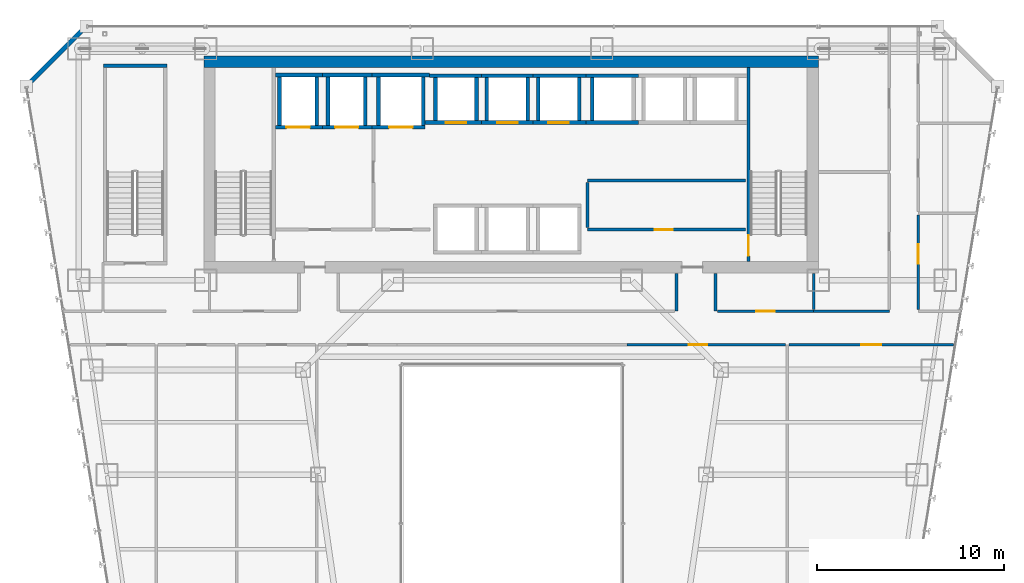
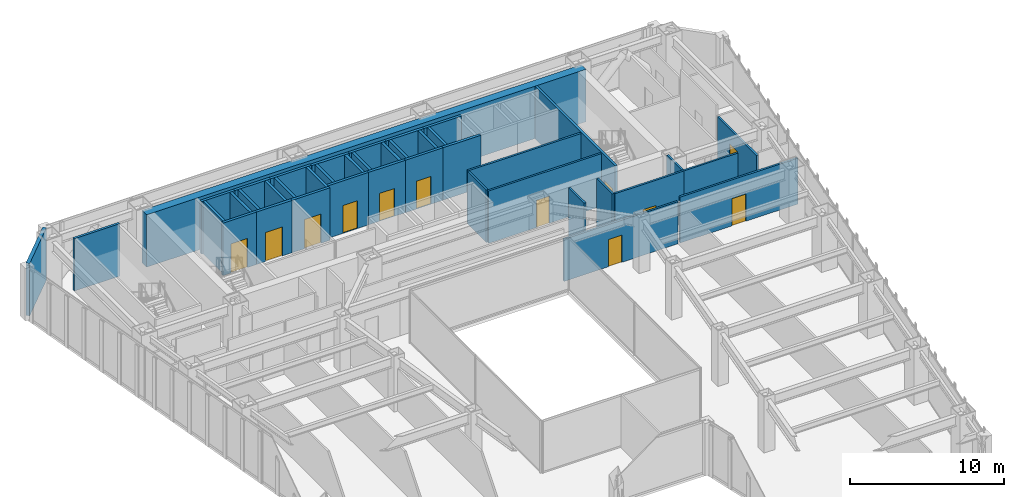
# One storey, part 37 of 47: 42 walls, 12 doors, 12 openings.
"""IFC4 building model written with IfcOpenShell, lengths in metres."""

from ifc_helpers import new_model, si_unit, direction, frame, frame_2d, origin, place, context, subcontext, project, spatial, rectangle, extrude, material, layer, layer_set, type_object, element, fill, save


model = new_model("IFC4")

# Units and contexts
model_context = context("Model", 3, precision=1e-05, world=origin(), true_north=direction((0.0, 1.0)))
body_context = subcontext(model_context, "Body", "Model", "MODEL_VIEW")
ifc_project = project(units=[si_unit("LENGTHUNIT", "METRE"), si_unit("AREAUNIT", "SQUARE_METRE"), si_unit("VOLUMEUNIT", "CUBIC_METRE"), si_unit("PLANEANGLEUNIT", "RADIAN"), si_unit("MASSUNIT", "GRAM", prefix="KILO")], contexts=[model_context])

# Site, building, storey
site_placement = place(None, origin())
site = spatial("IfcSite", under=ifc_project, at=site_placement, CompositionType="ELEMENT")
building_placement = place(site_placement, origin())
building = spatial("IfcBuilding", under=site, at=building_placement, Name="Saevonmaru Cultural Tower", CompositionType="ELEMENT")
storey_placement = place(building_placement, frame((0.0, 0.0, 78.0)))
storey = spatial("IfcBuildingStorey", under=building, at=storey_placement, Name="L16", CompositionType="ELEMENT", Elevation=78.0)

# Wall
ifc_material_1 = material(Name="Concrete C60/75", Category="concrete")
ifc_layer_1 = layer(ifc_material_1, 0.60009765625, Name="Concrete C60/75")
ifc_layer_set_1 = layer_set([ifc_layer_1], Name="Concrete C60/75")
wall_type_1 = type_object("IfcWallType", Name="WL-CORE-600", PredefinedType="SHEAR", material=ifc_layer_set_1)
wall_1_placement = place(storey_placement, frame((13.5, 54.10009765625, 0.0), z_axis=(0.0, 0.0, 1.0), x_axis=(1.0, 0.0, 0.0)))
element("IfcWall", 1, at=wall_1_placement, inside=storey, type_object=wall_type_1, Name="L16 Tower RC core shear wall N", PredefinedType="SHEAR", context=body_context, shape_type="SweptSolid", body=[
    extrude(rectangle(XDim=32.89990234375, YDim=0.60009765625, at=frame_2d((16.449951171875, 0.0))), origin(), (0.0, 0.0, 1.0), 4.14990234375),
])

# Wall, opening, door
ifc_material_2 = material(Name="Gypsum Fireboard Partition", Category="gypsum")
ifc_layer_2 = layer(ifc_material_2, 0.14990234375, Name="Gypsum Fireboard Partition")
ifc_layer_set_2 = layer_set([ifc_layer_2], Name="Gypsum Fireboard Partition")
wall_type_2 = type_object("IfcWallType", Name="WL-CORE-PART-150", PredefinedType="PARTITIONING", material=ifc_layer_set_2)
wall_2_placement = place(storey_placement, frame((34.050048828125, 45.1201171875, 0.0), z_axis=(0.0, 0.0, 1.0), x_axis=(1.0, 0.0, 0.0)))
wall_2 = element("IfcWall", 2, at=wall_2_placement, inside=storey, type_object=wall_type_2, Name="L16 Core Service South Wall", PredefinedType="PARTITIONING", context=body_context, shape_type="SweptSolid", body=[
    extrude(rectangle(XDim=8.449951171875, YDim=0.14990234375, at=frame_2d((4.22509765625, 0.0))), origin(), (0.0, 0.0, 1.0), 4.14990234375),
])
opening_1_placement = place(wall_2_placement, frame((3.60009765625, 0.0, 0.0)))
opening_1 = element("IfcOpeningElement", 3, at=opening_1_placement, cuts=wall_2, Name="Opening FD-4", PredefinedType="OPENING", context=body_context, shape_type="SweptSolid", body=[
    extrude(rectangle(XDim=0.949951171875, YDim=2.14990234375, at=frame_2d((0.47509765625, 1.074951171875))), frame((0.0, 0.0849609375, 0.0), z_axis=(0.0, -1.0, 0.0), x_axis=(1.0, 0.0, 0.0)), (0.0, 0.0, 1.0), 0.169921875),
])
ifc_material_3 = material(Name="Satin Bronze Anodised Aluminium", Category="aluminium")
door_type_1 = type_object("IfcDoorType", Name="DR-FD60-950", OperationType="SINGLE_SWING_LEFT", PredefinedType="DOOR", material=ifc_material_3)
door_1_placement = place(opening_1_placement, origin())
door_1 = element("IfcDoor", 4, at=door_1_placement, inside=storey, type_object=door_type_1, Name="L16 Telecom Riser Plant Door", OperationType="SINGLE_SWING_LEFT", OverallHeight=2.14990234375, OverallWidth=0.949951171875, PredefinedType="DOOR", context=body_context, shape_type="SweptSolid", body=[
    extrude(rectangle(XDim=0.949951171875, YDim=2.14990234375, at=frame_2d((0.47509765625, 1.074951171875))), frame((0.0, 0.02490234375, 0.0), z_axis=(0.0, -1.0, 0.0), x_axis=(1.0, 0.0, 0.0)), (0.0, 0.0, 1.0), 0.050048828125),
])
fill(opening_1, door_1)

# Walls
wall_3_placement = place(storey_placement, frame((34.050048828125, 47.75, 0.0), z_axis=(0.0, 0.0, 1.0), x_axis=(1.0, 0.0, 0.0)))
element("IfcWall", 5, at=wall_3_placement, inside=storey, type_object=wall_type_2, Name="L16 Core Service North Wall", PredefinedType="PARTITIONING", context=body_context, shape_type="SweptSolid", body=[
    extrude(rectangle(XDim=8.449951171875, YDim=0.14990234375, at=frame_2d((4.22509765625, 0.0))), origin(), (0.0, 0.0, 1.0), 4.14990234375),
])
wall_4_placement = place(storey_placement, frame((34.050048828125, 45.219970703125, 0.0), z_axis=(0.0, 0.0, 1.0), x_axis=(0.0, 1.0, 0.0)))
element("IfcWall", 6, at=wall_4_placement, inside=storey, type_object=wall_type_2, Name="L16 Core Service West Wall", PredefinedType="PARTITIONING", context=body_context, shape_type="SweptSolid", body=[
    extrude(rectangle(XDim=2.429931640625, YDim=0.14990234375, at=frame_2d((1.21484375, 0.0))), origin(), (0.0, 0.0, 1.0), 4.14990234375),
])
ifc_material_4 = material(Name="Granite-Clad Precast Concrete C40/50", Category="masonry")
ifc_layer_3 = layer(ifc_material_4, 0.260009765625, Name="Granite-Clad Precast Concrete C40/50")
ifc_layer_set_3 = layer_set([ifc_layer_3], Name="Granite-Clad Precast Concrete C40/50")
wall_type_3 = type_object("IfcWallType", Name="WL-EXT-SPANDREL-260", PredefinedType="STANDARD", material=ifc_layer_set_3)
wall_5_placement = place(storey_placement, frame((7.0869140625, 55.886962890625, 0.0), z_axis=(0.0, 0.0, 1.0), x_axis=(-0.707106781187, -0.707106781187, 0.0)))
element("IfcWall", 7, at=wall_5_placement, inside=storey, type_object=wall_type_3, Name="L16 Chamfer Corner Spandrel Wall E11", PredefinedType="STANDARD", context=body_context, shape_type="SweptSolid", body=[
    extrude(rectangle(XDim=4.205810546875, YDim=0.260009765625, at=frame_2d((2.10302734375, 0.0))), origin(), (0.0, 0.0, 1.0), 4.14990234375),
])

# Wall, opening, door
ifc_layer_4 = layer(ifc_material_2, 0.14990234375, Name="Gypsum Fireboard Partition")
ifc_layer_set_4 = layer_set([ifc_layer_4], Name="Gypsum Fireboard Partition")
wall_type_4 = type_object("IfcWallType", Name="WL-PART-FIRE-150", PredefinedType="PARTITIONING", material=ifc_layer_set_4)
wall_6_placement = place(storey_placement, frame((51.75, 40.83740234375, 0.0), z_axis=(0.0, 0.0, 1.0), x_axis=(0.0, 1.0, 0.0)))
wall_6 = element("IfcWall", 8, at=wall_6_placement, inside=storey, type_object=wall_type_4, Name="L16 Visual Arts Critique Gallery Corridor Wall", PredefinedType="PARTITIONING", context=body_context, shape_type="SweptSolid", body=[
    extrude(rectangle(XDim=5.0751953125, YDim=0.14990234375, at=frame_2d((2.53759765625, 0.0))), origin(), (0.0, 0.0, 1.0), 3.3349609375),
])
opening_2_placement = place(wall_6_placement, frame((2.452880859375, 0.0, 0.0)))
opening_2 = element("IfcOpeningElement", 9, at=opening_2_placement, cuts=wall_6, Name="Opening ID-1", PredefinedType="OPENING", context=body_context, shape_type="SweptSolid", body=[
    extrude(rectangle(XDim=1.050048828125, YDim=2.14990234375, at=frame_2d((0.52490234375, 1.074951171875))), frame((0.0, 0.0849609375, 0.0), z_axis=(0.0, -1.0, 0.0), x_axis=(1.0, 0.0, 0.0)), (0.0, 0.0, 1.0), 0.169921875),
])
door_type_2 = type_object("IfcDoorType", Name="DR-INT-1050", OperationType="SINGLE_SWING_LEFT", PredefinedType="DOOR", material=ifc_material_3)
door_2_placement = place(opening_2_placement, origin())
door_2 = element("IfcDoor", 10, at=door_2_placement, inside=storey, type_object=door_type_2, Name="L16 Visual Arts Critique Gallery Door", OperationType="SINGLE_SWING_RIGHT", OverallHeight=2.14990234375, OverallWidth=1.050048828125, PredefinedType="DOOR", context=body_context, shape_type="SweptSolid", body=[
    extrude(rectangle(XDim=1.050048828125, YDim=2.14990234375, at=frame_2d((0.52490234375, 1.074951171875))), frame((0.0, 0.02490234375, 0.0), z_axis=(0.0, -1.0, 0.0), x_axis=(1.0, 0.0, 0.0)), (0.0, 0.0, 1.0), 0.050048828125),
])
fill(opening_2, door_2)

# Walls
for number, where, z_axis, x_axis, name in (
    (11, (38.800048828125, 40.75, 0.0), (0.0, 0.0, 1.0), (0.0, 1.0, 0.0), "L16 Core Portal Side Wall E1"),
    (12, (40.89990234375, 40.75, 0.0), (0.0, 0.0, 1.0), (0.0, 1.0, 0.0), "L16 Core Portal Side Wall E2"),
):
    element("IfcWall", number, at=place(storey_placement, frame(where, z_axis=z_axis, x_axis=x_axis)), inside=storey, type_object=wall_type_4, Name=name, PredefinedType="PARTITIONING", context=body_context, shape_type="SweptSolid", body=[
        extrude(rectangle(XDim=2.030029296875, YDim=0.14990234375, at=frame_2d((1.01513671875, 0.0))), origin(), (0.0, 0.0, 1.0), 4.14990234375),
    ])

# Wall, opening, door
wall_7_placement = place(storey_placement, frame((40.9951171875, 40.75, 0.0), z_axis=(0.0, 0.0, 1.0), x_axis=(1.0, 0.0, 0.0)))
wall_7 = element("IfcWall", 13, at=wall_7_placement, inside=storey, type_object=wall_type_4, Name="L16 Sound Art Screening Auditorium Corridor Wall", PredefinedType="PARTITIONING", context=body_context, shape_type="SweptSolid", body=[
    extrude(rectangle(XDim=5.15478515625, YDim=0.14990234375, at=frame_2d((2.577392578125, 0.0))), origin(), (0.0, 0.0, 1.0), 4.14990234375),
])
opening_3_placement = place(wall_7_placement, frame((2.077880859375, 0.0, 0.0)))
opening_3 = element("IfcOpeningElement", 14, at=opening_3_placement, cuts=wall_7, Name="Opening ID-1B", PredefinedType="OPENING", context=body_context, shape_type="SweptSolid", body=[
    extrude(rectangle(XDim=1.0, YDim=2.14990234375, at=frame_2d((0.5, 1.074951171875))), frame((0.0, 0.0849609375, 0.0), z_axis=(0.0, -1.0, 0.0), x_axis=(1.0, 0.0, 0.0)), (0.0, 0.0, 1.0), 0.169921875),
])
ifc_material_5 = material(Name="Acoustic Stained Oak Timber", Category="wood")
door_type_3 = type_object("IfcDoorType", Name="DR-INT-1000", OperationType="SINGLE_SWING_RIGHT", PredefinedType="DOOR", material=ifc_material_5)
door_3_placement = place(opening_3_placement, origin())
door_3 = element("IfcDoor", 15, at=door_3_placement, inside=storey, type_object=door_type_3, Name="L16 Sound Art Screening Auditorium Door", OperationType="SINGLE_SWING_LEFT", OverallHeight=2.14990234375, OverallWidth=1.0, PredefinedType="DOOR", context=body_context, shape_type="SweptSolid", body=[
    extrude(rectangle(XDim=1.0, YDim=2.14990234375, at=frame_2d((0.5, 1.074951171875))), frame((0.0, 0.02490234375, 0.0), z_axis=(0.0, -1.0, 0.0), x_axis=(1.0, 0.0, 0.0)), (0.0, 0.0, 1.0), 0.050048828125),
])
fill(opening_3, door_3)

wall_8_placement = place(storey_placement, frame((36.14990234375, 38.949951171875, 0.0), z_axis=(0.0, 0.0, 1.0), x_axis=(1.0, 0.0, 0.0)))
wall_8 = element("IfcWall", 16, at=wall_8_placement, inside=storey, type_object=wall_type_4, Name="L16 Sound Art Screening Auditorium Corridor Wall", PredefinedType="PARTITIONING", context=body_context, shape_type="SweptSolid", body=[
    extrude(rectangle(XDim=8.502685546875, YDim=0.14990234375, at=frame_2d((4.25146484375, 0.0))), origin(), (0.0, 0.0, 1.0), 3.3349609375),
])
opening_4_placement = place(wall_8_placement, frame((3.31103515625, 0.0, 0.0)))
opening_4 = element("IfcOpeningElement", 17, at=opening_4_placement, cuts=wall_8, Name="Opening ID-1B", PredefinedType="OPENING", context=body_context, shape_type="SweptSolid", body=[
    extrude(rectangle(XDim=1.0, YDim=2.14990234375, at=frame_2d((0.5, 1.074951171875))), frame((0.0, 0.0849609375, 0.0), z_axis=(0.0, -1.0, 0.0), x_axis=(1.0, 0.0, 0.0)), (0.0, 0.0, 1.0), 0.169921875),
])
door_4_placement = place(opening_4_placement, origin())
door_4 = element("IfcDoor", 18, at=door_4_placement, inside=storey, type_object=door_type_3, Name="L16 Sound Art Screening Auditorium Door", OperationType="SINGLE_SWING_RIGHT", OverallHeight=2.14990234375, OverallWidth=1.0, PredefinedType="DOOR", context=body_context, shape_type="SweptSolid", body=[
    extrude(rectangle(XDim=1.0, YDim=2.14990234375, at=frame_2d((0.5, 1.074951171875))), frame((0.0, 0.02490234375, 0.0), z_axis=(0.0, -1.0, 0.0), x_axis=(1.0, 0.0, 0.0)), (0.0, 0.0, 1.0), 0.050048828125),
])
fill(opening_4, door_4)

wall_9_placement = place(storey_placement, frame((44.827392578125, 38.949951171875, 0.0), z_axis=(0.0, 0.0, 1.0), x_axis=(1.0, 0.0, 0.0)))
wall_9 = element("IfcWall", 19, at=wall_9_placement, inside=storey, type_object=wall_type_4, Name="L16 Visual Arts Critique Gallery Corridor Wall", PredefinedType="PARTITIONING", context=body_context, shape_type="SweptSolid", body=[
    extrude(rectangle(XDim=8.809814453125, YDim=0.14990234375, at=frame_2d((4.40478515625, 0.0))), origin(), (0.0, 0.0, 1.0), 3.635009765625),
])
opening_5_placement = place(wall_9_placement, frame((3.8798828125, 0.0, 0.0)))
opening_5 = element("IfcOpeningElement", 20, at=opening_5_placement, cuts=wall_9, Name="Opening ID-1", PredefinedType="OPENING", context=body_context, shape_type="SweptSolid", body=[
    extrude(rectangle(XDim=1.050048828125, YDim=2.14990234375, at=frame_2d((0.52490234375, 1.074951171875))), frame((0.0, 0.0849609375, 0.0), z_axis=(0.0, -1.0, 0.0), x_axis=(1.0, 0.0, 0.0)), (0.0, 0.0, 1.0), 0.169921875),
])
door_5_placement = place(opening_5_placement, origin())
door_5 = element("IfcDoor", 21, at=door_5_placement, inside=storey, type_object=door_type_2, Name="L16 Visual Arts Critique Gallery Door", OperationType="SINGLE_SWING_LEFT", OverallHeight=2.14990234375, OverallWidth=1.050048828125, PredefinedType="DOOR", context=body_context, shape_type="SweptSolid", body=[
    extrude(rectangle(XDim=1.050048828125, YDim=2.14990234375, at=frame_2d((0.52490234375, 1.074951171875))), frame((0.0, 0.02490234375, 0.0), z_axis=(0.0, -1.0, 0.0), x_axis=(1.0, 0.0, 0.0)), (0.0, 0.0, 1.0), 0.050048828125),
])
fill(opening_5, door_5)

# Walls
ifc_layer_5 = layer(ifc_material_2, 0.139892578125, Name="Gypsum Fireboard Partition")
ifc_layer_set_5 = layer_set([ifc_layer_5], Name="Gypsum Fireboard Partition")
wall_type_5 = type_object("IfcWallType", Name="WL-PART-WET-140", PredefinedType="PARTITIONING", material=ifc_layer_set_5)
wall_10_placement = place(storey_placement, frame((46.14990234375, 40.75, 0.0), z_axis=(0.0, 0.0, 1.0), x_axis=(1.0, 0.0, 0.0)))
element("IfcWall", 22, at=wall_10_placement, inside=storey, type_object=wall_type_5, Name="L16 Washroom South Wall", PredefinedType="PARTITIONING", context=body_context, shape_type="SweptSolid", body=[
    extrude(rectangle(XDim=4.050048828125, YDim=0.139892578125, at=frame_2d((2.02490234375, 0.0))), origin(), (0.0, 0.0, 1.0), 4.14990234375),
])
wall_11_placement = place(storey_placement, frame((46.14990234375, 40.840087890625, 0.0), z_axis=(0.0, 0.0, 1.0), x_axis=(0.0, 1.0, 0.0)))
element("IfcWall", 23, at=wall_11_placement, inside=storey, type_object=wall_type_5, Name="L16 Washroom South-West Return", PredefinedType="PARTITIONING", context=body_context, shape_type="SweptSolid", body=[
    extrude(rectangle(XDim=1.93994140625, YDim=0.139892578125, at=frame_2d((0.969970703125, 0.0))), origin(), (0.0, 0.0, 1.0), 4.14990234375),
])

# Wall, opening, door
ifc_material_6 = material(Name="Concrete C40/50", Category="concrete")
ifc_layer_6 = layer(ifc_material_6, 0.199951171875, Name="Concrete C40/50")
ifc_layer_set_6 = layer_set([ifc_layer_6], Name="Concrete C40/50")
wall_type_6 = type_object("IfcWallType", Name="WL-SHAFT-200", PredefinedType="SHEAR", material=ifc_layer_set_6)
wall_12_placement = place(storey_placement, frame((17.330078125, 50.60009765625, 0.0), z_axis=(0.0, 0.0, 1.0), x_axis=(1.0, 0.0, 0.0)))
wall_12 = element("IfcWall", 24, at=wall_12_placement, inside=storey, type_object=wall_type_6, Name="L16 Lift FFL-1 Hoistway Wall S", PredefinedType="SHEAR", context=body_context, shape_type="SweptSolid", body=[
    extrude(rectangle(XDim=2.52001953125, YDim=0.199951171875, at=frame_2d((1.260009765625, 0.0))), origin(), (0.0, 0.0, 1.0), 4.14990234375),
])
opening_6_placement = place(wall_12_placement, frame((0.594970703125, 0.0, 0.0)))
opening_6 = element("IfcOpeningElement", 25, at=opening_6_placement, cuts=wall_12, Name="Opening LD-2", PredefinedType="OPENING", context=body_context, shape_type="SweptSolid", body=[
    extrude(rectangle(XDim=1.25, YDim=2.300048828125, at=frame_2d((0.625, 1.14990234375))), frame((0.0, 0.10986328125, 0.0), z_axis=(0.0, -1.0, 0.0), x_axis=(1.0, 0.0, 0.0)), (0.0, 0.0, 1.0), 0.219970703125),
])
ifc_material_7 = material(Name="Stainless Steel 316", Category="steel")
door_type_4 = type_object("IfcDoorType", Name="DR-LIFT-1250", OperationType="SLIDING_TO_LEFT", PredefinedType="DOOR", material=ifc_material_7)
door_6_placement = place(opening_6_placement, origin())
door_6 = element("IfcDoor", 26, at=door_6_placement, inside=storey, type_object=door_type_4, Name="L16 Lift FFL-1 Sliding Landing Door", OperationType="SLIDING_TO_LEFT", OverallHeight=2.300048828125, OverallWidth=1.25, PredefinedType="DOOR", context=body_context, shape_type="SweptSolid", body=[
    extrude(rectangle(XDim=1.25, YDim=2.300048828125, at=frame_2d((0.625, 1.14990234375))), frame((0.0, 0.02490234375, 0.0), z_axis=(0.0, -1.0, 0.0), x_axis=(1.0, 0.0, 0.0)), (0.0, 0.0, 1.0), 0.050048828125),
])
fill(opening_6, door_6)

# Walls
wall_13_placement = place(storey_placement, frame((17.330078125, 53.39990234375, 0.0), z_axis=(0.0, 0.0, 1.0), x_axis=(1.0, 0.0, 0.0)))
element("IfcWall", 27, at=wall_13_placement, inside=storey, type_object=wall_type_6, Name="L16 Lift FFL-1 Hoistway Wall N", PredefinedType="SHEAR", context=body_context, shape_type="SweptSolid", body=[
    extrude(rectangle(XDim=2.52001953125, YDim=0.199951171875, at=frame_2d((1.260009765625, 0.0))), origin(), (0.0, 0.0, 1.0), 4.14990234375),
])
for number, where, z_axis, x_axis, name in (
    (28, (17.550048828125, 50.699951171875, 0.0), (0.0, 0.0, 1.0), (0.0, 1.0, 0.0), "L16 Lift FFL-1 Hoistway Wall W"),
    (29, (19.550048828125, 50.699951171875, 0.0), (0.0, 0.0, 1.0), (0.0, 1.0, 0.0), "L16 Lift FFL-1 Hoistway Wall E"),
):
    element("IfcWall", number, at=place(storey_placement, frame(where, z_axis=z_axis, x_axis=x_axis)), inside=storey, type_object=wall_type_6, Name=name, PredefinedType="SHEAR", context=body_context, shape_type="SweptSolid", body=[
        extrude(rectangle(XDim=2.60009765625, YDim=0.199951171875, at=frame_2d((1.300048828125, 0.0))), origin(), (0.0, 0.0, 1.0), 4.14990234375),
    ])

# Wall, opening, door
wall_14_placement = place(storey_placement, frame((19.85009765625, 50.60009765625, 0.0), z_axis=(0.0, 0.0, 1.0), x_axis=(1.0, 0.0, 0.0)))
wall_14 = element("IfcWall", 30, at=wall_14_placement, inside=storey, type_object=wall_type_6, Name="L16 Lift FFL-2 Hoistway Wall S", PredefinedType="SHEAR", context=body_context, shape_type="SweptSolid", body=[
    extrude(rectangle(XDim=2.64990234375, YDim=0.199951171875, at=frame_2d((1.324951171875, 0.0))), origin(), (0.0, 0.0, 1.0), 4.14990234375),
])
opening_7_placement = place(wall_14_placement, frame((0.675048828125, 0.0, 0.0)))
opening_7 = element("IfcOpeningElement", 31, at=opening_7_placement, cuts=wall_14, Name="Opening LD-2", PredefinedType="OPENING", context=body_context, shape_type="SweptSolid", body=[
    extrude(rectangle(XDim=1.25, YDim=2.300048828125, at=frame_2d((0.625, 1.14990234375))), frame((0.0, 0.10986328125, 0.0), z_axis=(0.0, -1.0, 0.0), x_axis=(1.0, 0.0, 0.0)), (0.0, 0.0, 1.0), 0.219970703125),
])
door_7_placement = place(opening_7_placement, origin())
door_7 = element("IfcDoor", 32, at=door_7_placement, inside=storey, type_object=door_type_4, Name="L16 Lift FFL-2 Sliding Landing Door", OperationType="SLIDING_TO_LEFT", OverallHeight=2.300048828125, OverallWidth=1.25, PredefinedType="DOOR", context=body_context, shape_type="SweptSolid", body=[
    extrude(rectangle(XDim=1.25, YDim=2.300048828125, at=frame_2d((0.625, 1.14990234375))), frame((0.0, 0.02490234375, 0.0), z_axis=(0.0, -1.0, 0.0), x_axis=(1.0, 0.0, 0.0)), (0.0, 0.0, 1.0), 0.050048828125),
])
fill(opening_7, door_7)

# Walls
wall_15_placement = place(storey_placement, frame((19.85009765625, 53.39990234375, 0.0), z_axis=(0.0, 0.0, 1.0), x_axis=(1.0, 0.0, 0.0)))
element("IfcWall", 33, at=wall_15_placement, inside=storey, type_object=wall_type_6, Name="L16 Lift FFL-2 Hoistway Wall N", PredefinedType="SHEAR", context=body_context, shape_type="SweptSolid", body=[
    extrude(rectangle(XDim=2.64990234375, YDim=0.199951171875, at=frame_2d((1.324951171875, 0.0))), origin(), (0.0, 0.0, 1.0), 4.14990234375),
])
for number, where, z_axis, x_axis, name in (
    (34, (20.14990234375, 50.699951171875, 0.0), (0.0, 0.0, 1.0), (0.0, 1.0, 0.0), "L16 Lift FFL-2 Hoistway Wall W"),
    (35, (22.14990234375, 50.699951171875, 0.0), (0.0, 0.0, 1.0), (0.0, 1.0, 0.0), "L16 Lift FFL-2 Hoistway Wall E"),
):
    element("IfcWall", number, at=place(storey_placement, frame(where, z_axis=z_axis, x_axis=x_axis)), inside=storey, type_object=wall_type_6, Name=name, PredefinedType="SHEAR", context=body_context, shape_type="SweptSolid", body=[
        extrude(rectangle(XDim=2.60009765625, YDim=0.199951171875, at=frame_2d((1.300048828125, 0.0))), origin(), (0.0, 0.0, 1.0), 4.14990234375),
    ])

# Wall, opening, door
wall_16_placement = place(storey_placement, frame((22.5, 50.60009765625, 0.0), z_axis=(0.0, 0.0, 1.0), x_axis=(1.0, 0.0, 0.0)))
wall_16 = element("IfcWall", 36, at=wall_16_placement, inside=storey, type_object=wall_type_6, Name="L16 Lift GL-1 Hoistway Wall S", PredefinedType="SHEAR", context=body_context, shape_type="SweptSolid", body=[
    extrude(rectangle(XDim=2.85009765625, YDim=0.199951171875, at=frame_2d((1.425048828125, 0.0))), origin(), (0.0, 0.0, 1.0), 4.14990234375),
])
opening_8_placement = place(wall_16_placement, frame((0.925048828125, 0.0, 0.0)))
opening_8 = element("IfcOpeningElement", 37, at=opening_8_placement, cuts=wall_16, Name="Opening LD-2", PredefinedType="OPENING", context=body_context, shape_type="SweptSolid", body=[
    extrude(rectangle(XDim=1.25, YDim=2.300048828125, at=frame_2d((0.625, 1.14990234375))), frame((0.0, 0.10986328125, 0.0), z_axis=(0.0, -1.0, 0.0), x_axis=(1.0, 0.0, 0.0)), (0.0, 0.0, 1.0), 0.219970703125),
])
door_8_placement = place(opening_8_placement, origin())
door_8 = element("IfcDoor", 38, at=door_8_placement, inside=storey, type_object=door_type_4, Name="L16 Lift GL-1 Sliding Landing Door", OperationType="SLIDING_TO_LEFT", OverallHeight=2.300048828125, OverallWidth=1.25, PredefinedType="DOOR", context=body_context, shape_type="SweptSolid", body=[
    extrude(rectangle(XDim=1.25, YDim=2.300048828125, at=frame_2d((0.625, 1.14990234375))), frame((0.0, 0.02490234375, 0.0), z_axis=(0.0, -1.0, 0.0), x_axis=(1.0, 0.0, 0.0)), (0.0, 0.0, 1.0), 0.050048828125),
])
fill(opening_8, door_8)

# Walls
wall_17_placement = place(storey_placement, frame((22.5, 53.39990234375, 0.0), z_axis=(0.0, 0.0, 1.0), x_axis=(1.0, 0.0, 0.0)))
element("IfcWall", 39, at=wall_17_placement, inside=storey, type_object=wall_type_6, Name="L16 Lift GL-1 Hoistway Wall N", PredefinedType="SHEAR", context=body_context, shape_type="SweptSolid", body=[
    extrude(rectangle(XDim=3.074951171875, YDim=0.199951171875, at=frame_2d((1.53759765625, 0.0))), origin(), (0.0, 0.0, 1.0), 4.14990234375),
])
for number, where, z_axis, x_axis, name in (
    (40, (22.85009765625, 50.699951171875, 0.0), (0.0, 0.0, 1.0), (0.0, 1.0, 0.0), "L16 Lift GL-1 Hoistway Wall W"),
    (41, (25.25, 50.699951171875, 0.0), (0.0, 0.0, 1.0), (0.0, 1.0, 0.0), "L16 Lift GL-1 Hoistway Wall E"),
):
    element("IfcWall", number, at=place(storey_placement, frame(where, z_axis=z_axis, x_axis=x_axis)), inside=storey, type_object=wall_type_6, Name=name, PredefinedType="SHEAR", context=body_context, shape_type="SweptSolid", body=[
        extrude(rectangle(XDim=2.60009765625, YDim=0.199951171875, at=frame_2d((1.300048828125, 0.0))), origin(), (0.0, 0.0, 1.0), 4.14990234375),
    ])

# Wall, opening, door
wall_18_placement = place(storey_placement, frame((25.35009765625, 50.85009765625, 0.0), z_axis=(0.0, 0.0, 1.0), x_axis=(1.0, 0.0, 0.0)))
wall_18 = element("IfcWall", 42, at=wall_18_placement, inside=storey, type_object=wall_type_6, Name="L16 Lift PL-L1 Hoistway Wall S", PredefinedType="SHEAR", context=body_context, shape_type="SweptSolid", body=[
    extrude(rectangle(XDim=3.02490234375, YDim=0.199951171875, at=frame_2d((1.512451171875, 0.0))), origin(), (0.0, 0.0, 1.0), 4.14990234375),
])
opening_9_placement = place(wall_18_placement, frame((1.10009765625, 0.0, 0.0)))
opening_9 = element("IfcOpeningElement", 43, at=opening_9_placement, cuts=wall_18, Name="Opening LD-1", PredefinedType="OPENING", context=body_context, shape_type="SweptSolid", body=[
    extrude(rectangle(XDim=1.10009765625, YDim=2.199951171875, at=frame_2d((0.550048828125, 1.10009765625))), frame((0.0, 0.10986328125, 0.0), z_axis=(0.0, -1.0, 0.0), x_axis=(1.0, 0.0, 0.0)), (0.0, 0.0, 1.0), 0.219970703125),
])
ifc_material_8 = material(Name="Satin Bronze Stainless Steel", Category="steel")
door_type_5 = type_object("IfcDoorType", Name="DR-LIFT-1100", OperationType="SLIDING_TO_LEFT", PredefinedType="DOOR", material=ifc_material_8)
door_9_placement = place(opening_9_placement, origin())
door_9 = element("IfcDoor", 44, at=door_9_placement, inside=storey, type_object=door_type_5, Name="L16 Lift PL-L1 Sliding Landing Door", OperationType="SLIDING_TO_LEFT", OverallHeight=2.199951171875, OverallWidth=1.10009765625, PredefinedType="DOOR", context=body_context, shape_type="SweptSolid", body=[
    extrude(rectangle(XDim=1.10009765625, YDim=2.199951171875, at=frame_2d((0.550048828125, 1.10009765625))), frame((0.0, 0.02490234375, 0.0), z_axis=(0.0, -1.0, 0.0), x_axis=(1.0, 0.0, 0.0)), (0.0, 0.0, 1.0), 0.050048828125),
])
fill(opening_9, door_9)

# Walls
wall_19_placement = place(storey_placement, frame((25.574951171875, 53.35009765625, 0.0), z_axis=(0.0, 0.0, 1.0), x_axis=(1.0, 0.0, 0.0)))
element("IfcWall", 45, at=wall_19_placement, inside=storey, type_object=wall_type_6, Name="L16 Lift PL-L1 Hoistway Wall N", PredefinedType="SHEAR", context=body_context, shape_type="SweptSolid", body=[
    extrude(rectangle(XDim=2.800048828125, YDim=0.199951171875, at=frame_2d((1.39990234375, 0.0))), origin(), (0.0, 0.0, 1.0), 4.14990234375),
])
for number, where, z_axis, x_axis, name in (
    (46, (25.89990234375, 50.949951171875, 0.0), (0.0, 0.0, 1.0), (0.0, 1.0, 0.0), "L16 Lift PL-L1 Hoistway Wall W"),
    (47, (28.10009765625, 50.949951171875, 0.0), (0.0, 0.0, 1.0), (0.0, 1.0, 0.0), "L16 Lift PL-L1 Hoistway Wall E"),
):
    element("IfcWall", number, at=place(storey_placement, frame(where, z_axis=z_axis, x_axis=x_axis)), inside=storey, type_object=wall_type_6, Name=name, PredefinedType="SHEAR", context=body_context, shape_type="SweptSolid", body=[
        extrude(rectangle(XDim=2.300048828125, YDim=0.199951171875, at=frame_2d((1.14990234375, 0.0))), origin(), (0.0, 0.0, 1.0), 4.14990234375),
    ])

# Wall, opening, door
wall_20_placement = place(storey_placement, frame((28.375, 50.85009765625, 0.0), z_axis=(0.0, 0.0, 1.0), x_axis=(1.0, 0.0, 0.0)))
wall_20 = element("IfcWall", 48, at=wall_20_placement, inside=storey, type_object=wall_type_6, Name="L16 Lift PL-L2 Hoistway Wall S", PredefinedType="SHEAR", context=body_context, shape_type="SweptSolid", body=[
    extrude(rectangle(XDim=2.75, YDim=0.199951171875, at=frame_2d((1.375, 0.0))), origin(), (0.0, 0.0, 1.0), 4.14990234375),
])
opening_10_placement = place(wall_20_placement, frame((0.824951171875, 0.0, 0.0)))
opening_10 = element("IfcOpeningElement", 49, at=opening_10_placement, cuts=wall_20, Name="Opening LD-1", PredefinedType="OPENING", context=body_context, shape_type="SweptSolid", body=[
    extrude(rectangle(XDim=1.10009765625, YDim=2.199951171875, at=frame_2d((0.550048828125, 1.10009765625))), frame((0.0, 0.10986328125, 0.0), z_axis=(0.0, -1.0, 0.0), x_axis=(1.0, 0.0, 0.0)), (0.0, 0.0, 1.0), 0.219970703125),
])
door_10_placement = place(opening_10_placement, origin())
door_10 = element("IfcDoor", 50, at=door_10_placement, inside=storey, type_object=door_type_5, Name="L16 Lift PL-L2 Sliding Landing Door", OperationType="SLIDING_TO_LEFT", OverallHeight=2.199951171875, OverallWidth=1.10009765625, PredefinedType="DOOR", context=body_context, shape_type="SweptSolid", body=[
    extrude(rectangle(XDim=1.10009765625, YDim=2.199951171875, at=frame_2d((0.550048828125, 1.10009765625))), frame((0.0, 0.02490234375, 0.0), z_axis=(0.0, -1.0, 0.0), x_axis=(1.0, 0.0, 0.0)), (0.0, 0.0, 1.0), 0.050048828125),
])
fill(opening_10, door_10)

# Walls
wall_21_placement = place(storey_placement, frame((28.375, 53.35009765625, 0.0), z_axis=(0.0, 0.0, 1.0), x_axis=(1.0, 0.0, 0.0)))
element("IfcWall", 51, at=wall_21_placement, inside=storey, type_object=wall_type_6, Name="L16 Lift PL-L2 Hoistway Wall N", PredefinedType="SHEAR", context=body_context, shape_type="SweptSolid", body=[
    extrude(rectangle(XDim=2.75, YDim=0.199951171875, at=frame_2d((1.375, 0.0))), origin(), (0.0, 0.0, 1.0), 4.14990234375),
])
for number, where, z_axis, x_axis, name in (
    (52, (28.64990234375, 50.949951171875, 0.0), (0.0, 0.0, 1.0), (0.0, 1.0, 0.0), "L16 Lift PL-L2 Hoistway Wall W"),
    (53, (30.85009765625, 50.949951171875, 0.0), (0.0, 0.0, 1.0), (0.0, 1.0, 0.0), "L16 Lift PL-L2 Hoistway Wall E"),
):
    element("IfcWall", number, at=place(storey_placement, frame(where, z_axis=z_axis, x_axis=x_axis)), inside=storey, type_object=wall_type_6, Name=name, PredefinedType="SHEAR", context=body_context, shape_type="SweptSolid", body=[
        extrude(rectangle(XDim=2.300048828125, YDim=0.199951171875, at=frame_2d((1.14990234375, 0.0))), origin(), (0.0, 0.0, 1.0), 4.14990234375),
    ])

# Wall, opening, door
wall_22_placement = place(storey_placement, frame((31.125, 50.85009765625, 0.0), z_axis=(0.0, 0.0, 1.0), x_axis=(1.0, 0.0, 0.0)))
wall_22 = element("IfcWall", 54, at=wall_22_placement, inside=storey, type_object=wall_type_6, Name="L16 Lift PL-L3 Hoistway Wall S", PredefinedType="SHEAR", context=body_context, shape_type="SweptSolid", body=[
    extrude(rectangle(XDim=2.824951171875, YDim=0.199951171875, at=frame_2d((1.41259765625, 0.0))), origin(), (0.0, 0.0, 1.0), 4.14990234375),
])
opening_11_placement = place(wall_22_placement, frame((0.824951171875, 0.0, 0.0)))
opening_11 = element("IfcOpeningElement", 55, at=opening_11_placement, cuts=wall_22, Name="Opening LD-1", PredefinedType="OPENING", context=body_context, shape_type="SweptSolid", body=[
    extrude(rectangle(XDim=1.10009765625, YDim=2.199951171875, at=frame_2d((0.550048828125, 1.10009765625))), frame((0.0, 0.10986328125, 0.0), z_axis=(0.0, -1.0, 0.0), x_axis=(1.0, 0.0, 0.0)), (0.0, 0.0, 1.0), 0.219970703125),
])
door_11_placement = place(opening_11_placement, origin())
door_11 = element("IfcDoor", 56, at=door_11_placement, inside=storey, type_object=door_type_5, Name="L16 Lift PL-L3 Sliding Landing Door", OperationType="SLIDING_TO_LEFT", OverallHeight=2.199951171875, OverallWidth=1.10009765625, PredefinedType="DOOR", context=body_context, shape_type="SweptSolid", body=[
    extrude(rectangle(XDim=1.10009765625, YDim=2.199951171875, at=frame_2d((0.550048828125, 1.10009765625))), frame((0.0, 0.02490234375, 0.0), z_axis=(0.0, -1.0, 0.0), x_axis=(1.0, 0.0, 0.0)), (0.0, 0.0, 1.0), 0.050048828125),
])
fill(opening_11, door_11)

# Walls
wall_23_placement = place(storey_placement, frame((31.125, 53.35009765625, 0.0), z_axis=(0.0, 0.0, 1.0), x_axis=(1.0, 0.0, 0.0)))
element("IfcWall", 57, at=wall_23_placement, inside=storey, type_object=wall_type_6, Name="L16 Lift PL-L3 Hoistway Wall N", PredefinedType="SHEAR", context=body_context, shape_type="SweptSolid", body=[
    extrude(rectangle(XDim=2.824951171875, YDim=0.199951171875, at=frame_2d((1.41259765625, 0.0))), origin(), (0.0, 0.0, 1.0), 4.14990234375),
])
for number, where, z_axis, x_axis, name in (
    (58, (31.39990234375, 50.949951171875, 0.0), (0.0, 0.0, 1.0), (0.0, 1.0, 0.0), "L16 Lift PL-L3 Hoistway Wall W"),
    (59, (33.60009765625, 50.949951171875, 0.0), (0.0, 0.0, 1.0), (0.0, 1.0, 0.0), "L16 Lift PL-L3 Hoistway Wall E"),
):
    element("IfcWall", number, at=place(storey_placement, frame(where, z_axis=z_axis, x_axis=x_axis)), inside=storey, type_object=wall_type_6, Name=name, PredefinedType="SHEAR", context=body_context, shape_type="SweptSolid", body=[
        extrude(rectangle(XDim=2.300048828125, YDim=0.199951171875, at=frame_2d((1.14990234375, 0.0))), origin(), (0.0, 0.0, 1.0), 4.14990234375),
    ])
for number, where, z_axis, x_axis, name in (
    (60, (33.949951171875, 50.85009765625, 0.0), (0.0, 0.0, 1.0), (1.0, 0.0, 0.0), "L16 Lift PL-H1 Hoistway Wall S"),
    (61, (33.949951171875, 53.35009765625, 0.0), (0.0, 0.0, 1.0), (1.0, 0.0, 0.0), "L16 Lift PL-H1 Hoistway Wall N"),
):
    element("IfcWall", number, at=place(storey_placement, frame(where, z_axis=z_axis, x_axis=x_axis)), inside=storey, type_object=wall_type_6, Name=name, PredefinedType="SHEAR", context=body_context, shape_type="SweptSolid", body=[
        extrude(rectangle(XDim=2.824951171875, YDim=0.199951171875, at=frame_2d((1.41259765625, 0.0))), origin(), (0.0, 0.0, 1.0), 4.14990234375),
    ])
wall_24_placement = place(storey_placement, frame((34.300048828125, 50.949951171875, 0.0), z_axis=(0.0, 0.0, 1.0), x_axis=(0.0, 1.0, 0.0)))
element("IfcWall", 62, at=wall_24_placement, inside=storey, type_object=wall_type_6, Name="L16 Lift PL-H1 Hoistway Wall W", PredefinedType="SHEAR", context=body_context, shape_type="SweptSolid", body=[
    extrude(rectangle(XDim=2.300048828125, YDim=0.199951171875, at=frame_2d((1.14990234375, 0.0))), origin(), (0.0, 0.0, 1.0), 4.14990234375),
])

# Wall, opening, door
ifc_layer_7 = layer(ifc_material_6, 0.179931640625, Name="Concrete C40/50")
ifc_layer_set_7 = layer_set([ifc_layer_7], Name="Concrete C40/50")
wall_type_7 = type_object("IfcWallType", Name="WL-STSHAFT-180", PredefinedType="SHEAR", material=ifc_layer_set_7)
wall_25_placement = place(storey_placement, frame((42.659912109375, 53.800048828125, 0.0), z_axis=(0.0, 0.0, 1.0), x_axis=(0.0, -1.0, 0.0)))
wall_25 = element("IfcWall", 63, at=wall_25_placement, inside=storey, type_object=wall_type_7, Name="L16 Stair ST-2 Structural Shaft Wall 1", PredefinedType="SHEAR", context=body_context, shape_type="SweptSolid", body=[
    extrude(rectangle(XDim=10.400146484375, YDim=0.179931640625, at=frame_2d((5.2001953125, 0.0))), origin(), (0.0, 0.0, 1.0), 4.14990234375),
])
opening_12_placement = place(wall_25_placement, frame((8.989990234375, 0.0, 0.0)))
opening_12 = element("IfcOpeningElement", 64, at=opening_12_placement, cuts=wall_25, Name="Opening FD-2", PredefinedType="OPENING", context=body_context, shape_type="SweptSolid", body=[
    extrude(rectangle(XDim=1.10009765625, YDim=2.14990234375, at=frame_2d((0.550048828125, 1.074951171875))), frame((0.0, 0.10009765625, 0.0), z_axis=(0.0, -1.0, 0.0), x_axis=(1.0, 0.0, 0.0)), (0.0, 0.0, 1.0), 0.199951171875),
])
door_type_6 = type_object("IfcDoorType", Name="DR-FD60-1100", OperationType="SINGLE_SWING_LEFT", PredefinedType="DOOR", material=ifc_material_3)
door_12_placement = place(opening_12_placement, origin())
door_12 = element("IfcDoor", 65, at=door_12_placement, inside=storey, type_object=door_type_6, Name="L16 Protected Stair ST-2 Fire Door", OperationType="SINGLE_SWING_LEFT", OverallHeight=2.14990234375, OverallWidth=1.10009765625, PredefinedType="DOOR", context=body_context, shape_type="SweptSolid", body=[
    extrude(rectangle(XDim=1.10009765625, YDim=2.14990234375, at=frame_2d((0.550048828125, 1.074951171875))), frame((0.0, 0.02490234375, 0.0), z_axis=(0.0, -1.0, 0.0), x_axis=(1.0, 0.0, 0.0)), (0.0, 0.0, 1.0), 0.050048828125),
])
fill(opening_12, door_12)

# Wall
wall_26_placement = place(storey_placement, frame((11.530029296875, 53.889892578125, 0.0), z_axis=(0.0, 0.0, 1.0), x_axis=(-1.0, 0.0, 0.0)))
element("IfcWall", 66, at=wall_26_placement, inside=storey, type_object=wall_type_7, Name="L16 Stair ST-3 Structural Shaft Wall 3", PredefinedType="SHEAR", context=body_context, shape_type="SweptSolid", body=[
    extrude(rectangle(XDim=3.409912109375, YDim=0.179931640625, at=frame_2d((1.705078125, 0.0))), origin(), (0.0, 0.0, 1.0), 4.14990234375),
])

save(model, "model.ifc")
